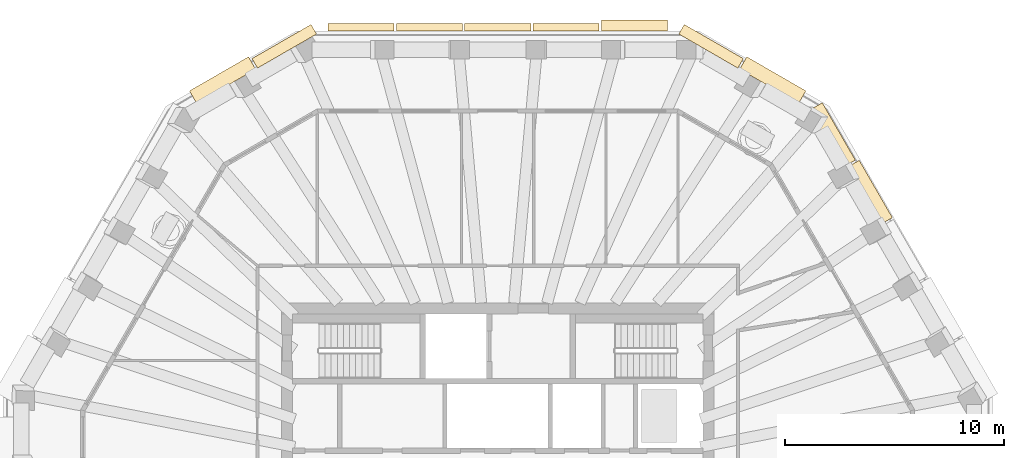
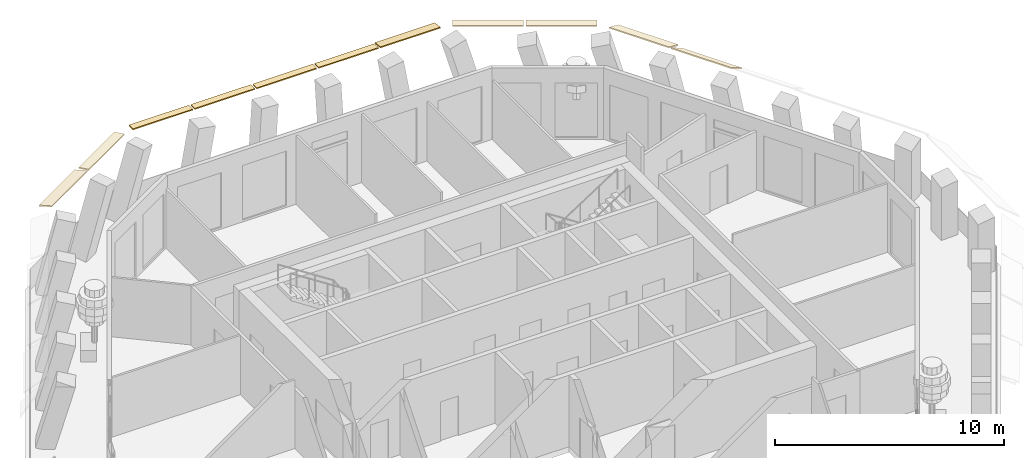
# One storey, part 9 of 11: 11 coverings.
"""IFC4 building model written with IfcOpenShell, lengths in metres."""

from ifc_helpers import new_model, si_unit, direction, frame, origin, place, context, subcontext, project, spatial, polyline, outline, extrude, material, layer, layer_set, type_object, element, save


model = new_model("IFC4")

# Units and contexts
model_context = context("Model", 3, precision=1e-05, world=origin(), true_north=direction((0.0, 1.0)))
body_context = subcontext(model_context, "Body", "Model", "MODEL_VIEW")
ifc_project = project(units=[si_unit("LENGTHUNIT", "METRE"), si_unit("AREAUNIT", "SQUARE_METRE"), si_unit("VOLUMEUNIT", "CUBIC_METRE"), si_unit("PLANEANGLEUNIT", "RADIAN"), si_unit("MASSUNIT", "GRAM", prefix="KILO")], contexts=[model_context])

# Site, building, storey
site_placement = place(None, origin())
site = spatial("IfcSite", under=ifc_project, at=site_placement, CompositionType="ELEMENT")
building_placement = place(site_placement, origin())
building = spatial("IfcBuilding", under=site, at=building_placement, Name="Frailejon Research Tower", CompositionType="ELEMENT")
storey_placement = place(building_placement, frame((0.0, 0.0, 340.60009765625)))
storey = spatial("IfcBuildingStorey", under=building, at=storey_placement, Name="L76", CompositionType="ELEMENT", Elevation=340.60009765625)

# Coverings
ifc_material_1 = material(Name="Precast concrete C50/60", Category="concrete")
ifc_layer_1 = layer(ifc_material_1, 0.06005859375)
ifc_layer_set_1 = layer_set([ifc_layer_1], Name="Brim blade depth 350")
covering_type_1 = type_object("IfcCoveringType", Name="Brim blade depth 350", PredefinedType="CLADDING", material=ifc_layer_set_1)
for number, where, z_axis, x_axis, name in (
    (1, (1.607421875, 20.75, 3.849853515625), (1.0, 0.0, 0.0), (0.0, 1.0, 0.0), "Brim blade L76"),
    (2, (-1.50732421875, 20.75, 3.849853515625), (1.0, 0.0, 0.0), (0.0, 1.0, 0.0), "Brim blade L76"),
    (3, (-4.622314453125, 20.75, 3.849853515625), (1.0, 0.0, 0.0), (0.0, 1.0, 0.0), "Brim blade L76"),
    (4, (-7.7373046875, 20.75, 3.849853515625), (1.0, 0.0, 0.0), (0.0, 1.0, 0.0), "Brim blade L76"),
):
    element("IfcCovering", number, at=place(storey_placement, frame(where, z_axis=z_axis, x_axis=x_axis)), inside=storey, type_object=covering_type_1, Name=name, PredefinedType="CLADDING", context=body_context, shape_type="SweptSolid", body=[
        extrude(outline(polyline([(0.0, -0.06005859375), (0.35009765625, -0.06005859375), (0.35009765625, 0.0), (0.0, 0.0), (0.0, -0.06005859375)])), origin(), (0.0, 0.0, 1.0), 3.014892578125),
    ])
ifc_material_2 = material(Name="Precast concrete C50/60", Category="concrete")
ifc_layer_2 = layer(ifc_material_2, 0.06005859375)
ifc_layer_set_2 = layer_set([ifc_layer_2], Name="Brim blade depth 500")
covering_type_2 = type_object("IfcCoveringType", Name="Brim blade depth 500", PredefinedType="CLADDING", material=ifc_layer_set_2)
covering_1_placement = place(storey_placement, frame((8.255615234375, 20.611083984375, 3.849853515625), z_axis=(0.866034959906, -0.499983447946, 0.0), x_axis=(0.499983447946, 0.866034959906, 0.0)))
element("IfcCovering", 5, at=covering_1_placement, inside=storey, type_object=covering_type_2, Name="Brim blade L76", PredefinedType="CLADDING", context=body_context, shape_type="SweptSolid", body=[
    extrude(outline(polyline([(0.0, -0.060546875), (0.5, -0.130859375), (0.5, -0.0703125), (0.0, 0.0), (0.0, -0.060546875)])), origin(), (0.0, 0.0, 1.0), 3.106201171875),
])
covering_2_placement = place(storey_placement, frame((4.722412109375, 20.75, 3.849853515625), z_axis=(1.0, 0.0, 0.0), x_axis=(0.0, 1.0, 0.0)))
element("IfcCovering", 6, at=covering_2_placement, inside=storey, type_object=covering_type_2, Name="Brim blade L76", PredefinedType="CLADDING", context=body_context, shape_type="SweptSolid", body=[
    extrude(outline(polyline([(0.0, -0.060546875), (0.5, -0.130859375), (0.5, -0.0703125), (0.0, 0.0), (0.0, -0.060546875)])), origin(), (0.0, 0.0, 1.0), 3.014892578125),
])
covering_3_placement = place(storey_placement, frame((-10.945556640625, 19.05810546875, 3.849853515625), z_axis=(0.866034959906, 0.499983447946, 0.0), x_axis=(-0.499983447946, 0.866034959906, 0.0)))
element("IfcCovering", 7, at=covering_3_placement, inside=storey, type_object=covering_type_2, Name="Brim blade L76", PredefinedType="CLADDING", context=body_context, shape_type="SweptSolid", body=[
    extrude(outline(polyline([(0.0, -0.060546875), (0.5, -0.130859375), (0.5, -0.0703125), (0.0, 0.0), (0.0, -0.060546875)])), origin(), (0.0, 0.0, 1.0), 3.106201171875),
])
ifc_material_3 = material(Name="Precast concrete C50/60", Category="concrete")
ifc_layer_3 = layer(ifc_material_3, 0.06005859375)
ifc_layer_set_3 = layer_set([ifc_layer_3], Name="Brim blade depth 650")
covering_type_3 = type_object("IfcCoveringType", Name="Brim blade depth 650", PredefinedType="CLADDING", material=ifc_layer_set_3)
for number, where, z_axis, x_axis, name in (
    (8, (11.031982421875, 19.008056640625, 3.849853515625), (0.86601365609, -0.500020347052, 0.0), (0.500020347052, 0.86601365609, 0.0), "Brim blade L76"),
    (9, (-13.721923828125, 17.455078125, 3.849853515625), (0.86601365609, 0.500020347052, 0.0), (-0.500020347052, 0.86601365609, 0.0), "Brim blade L76"),
):
    element("IfcCovering", number, at=place(storey_placement, frame(where, z_axis=z_axis, x_axis=x_axis)), inside=storey, type_object=covering_type_3, Name=name, PredefinedType="CLADDING", context=body_context, shape_type="SweptSolid", body=[
        extrude(outline(polyline([(0.0, -0.0625), (0.64990234375, -0.248779296875), (0.64990234375, -0.186279296875), (0.0, 0.0), (0.0, -0.0625)])), origin(), (0.0, 0.0, 1.0), 3.106201171875),
    ])
ifc_material_4 = material(Name="Precast concrete C50/60", Category="concrete")
ifc_layer_4 = layer(ifc_material_4, 0.06005859375)
ifc_layer_set_4 = layer_set([ifc_layer_4], Name="Brim blade depth 800")
covering_type_4 = type_object("IfcCoveringType", Name="Brim blade depth 800", PredefinedType="CLADDING", material=ifc_layer_set_4)
covering_4_placement = place(storey_placement, frame((14.101318359375, 17.07568359375, 3.849853515625), z_axis=(0.499999433811, -0.866025730673, 0.0), x_axis=(0.866025730673, 0.499999433811, 0.0)))
element("IfcCovering", 10, at=covering_4_placement, inside=storey, type_object=covering_type_4, Name="Brim blade L76", PredefinedType="CLADDING", context=body_context, shape_type="SweptSolid", body=[
    extrude(outline(polyline([(0.0, -0.065673828125), (0.800048828125, -0.421875), (0.800048828125, -0.356201171875), (0.0, 0.0), (0.0, -0.065673828125)])), origin(), (0.0, 0.0, 1.0), 3.014892578125),
])
ifc_material_5 = material(Name="Precast concrete C50/60", Category="concrete")
ifc_layer_5 = layer(ifc_material_5, 0.06005859375)
ifc_layer_set_5 = layer_set([ifc_layer_5], Name="Brim blade depth 950")
covering_type_5 = type_object("IfcCoveringType", Name="Brim blade depth 950", PredefinedType="CLADDING", material=ifc_layer_set_5)
covering_5_placement = place(storey_placement, frame((15.65869140625, 14.378173828125, 3.849853515625), z_axis=(0.500009610163, -0.866019855283, 0.0), x_axis=(0.866019855283, 0.500009610163, 0.0)))
element("IfcCovering", 11, at=covering_5_placement, inside=storey, type_object=covering_type_5, Name="Brim blade L76", PredefinedType="CLADDING", context=body_context, shape_type="SweptSolid", body=[
    extrude(outline(polyline([(0.0, -0.07080078125), (0.949951171875, -0.664306640625), (0.949951171875, -0.593505859375), (0.0, 0.0), (0.0, -0.07080078125)])), origin(), (0.0, 0.0, 1.0), 3.014892578125),
])

save(model, "model.ifc")
